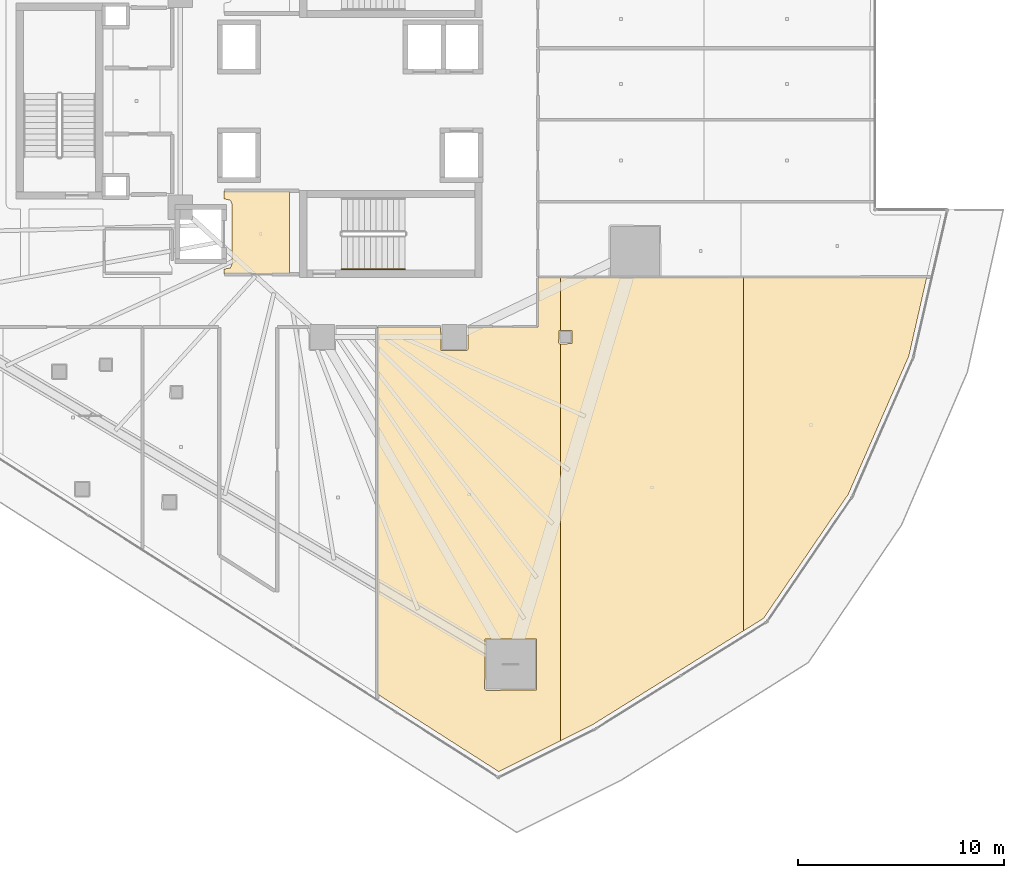
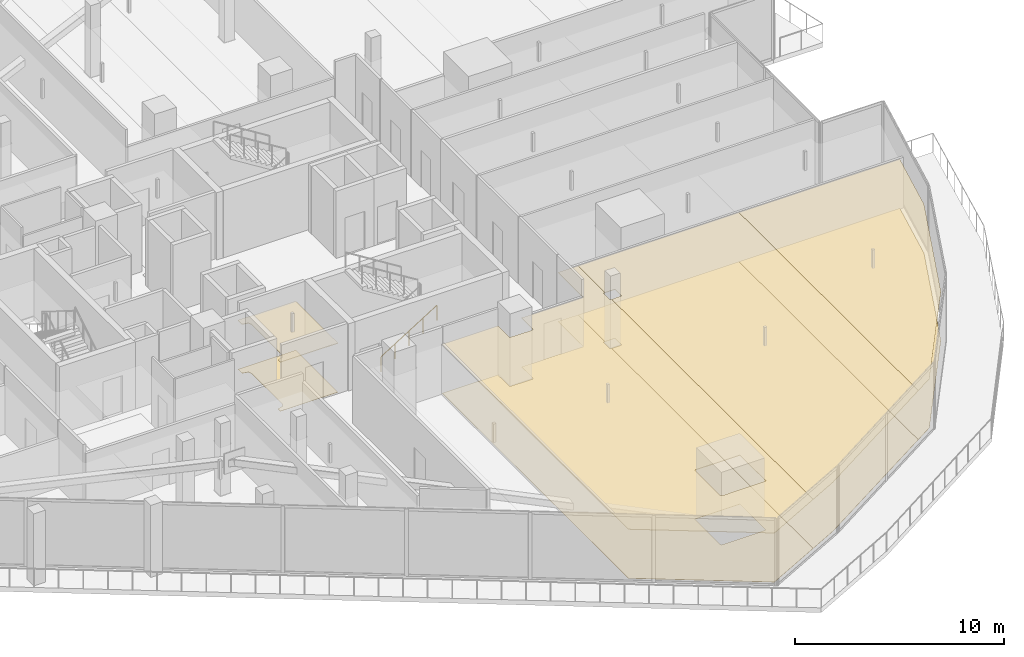
# One storey, part 46 of 52: 8 coverings, 1 railing.
"""IFC4 building model written with IfcOpenShell, lengths in metres."""

from ifc_helpers import new_model, si_unit, direction, frame, origin, origin_2d, place, context, subcontext, project, spatial, polyline, circle, outline, extrude, material, layer, layer_set, type_object, element, save


model = new_model("IFC4")

# Units and contexts
model_context = context("Model", 3, precision=1e-05, world=origin(), true_north=direction((0.0, 1.0)))
body_context = subcontext(model_context, "Body", "Model", "MODEL_VIEW")
ifc_project = project(units=[si_unit("LENGTHUNIT", "METRE"), si_unit("AREAUNIT", "SQUARE_METRE"), si_unit("VOLUMEUNIT", "CUBIC_METRE"), si_unit("PLANEANGLEUNIT", "RADIAN"), si_unit("MASSUNIT", "GRAM", prefix="KILO")], contexts=[model_context])

# Site, building, storey
site_placement = place(None, origin())
site = spatial("IfcSite", under=ifc_project, at=site_placement, CompositionType="ELEMENT")
building_placement = place(site_placement, origin())
building = spatial("IfcBuilding", under=site, at=building_placement, Name="Qorvath Tower", CompositionType="ELEMENT")
storey_placement = place(building_placement, frame((0.0, 0.0, 61.800048828125)))
storey = spatial("IfcBuildingStorey", under=building, at=storey_placement, Name="L13", CompositionType="ELEMENT", Elevation=61.800048828125)

# Coverings
ifc_material_1 = material(Name="Acoustic mineral fibre ceiling tile", Category="gypsum")
ifc_layer_1 = layer(ifc_material_1, 0.030029296875)
ifc_layer_set_1 = layer_set([ifc_layer_1], Name="COV-CEIL")
covering_type_1 = type_object("IfcCoveringType", Name="COV-CEIL", PredefinedType="CEILING", material=ifc_layer_set_1)
covering_1_placement = place(storey_placement, frame((0.0, 0.0, 2.849853515625)))
element("IfcCovering", 1, at=covering_1_placement, inside=storey, type_object=covering_type_1, Name="L13 Suspended Acoustic Ceiling 002", PredefinedType="CEILING", context=body_context, shape_type="SweptSolid", body=[
    extrude(outline(polyline([(-25.18994140625, -8.39501953125), (-25.18994140625, -4.35498046875), (-28.375, -4.35498046875), (-28.375, -4.739990234375), (-28.063232421875, -4.813232421875), (-27.989990234375, -4.989990234375), (-27.989990234375, -7.909912109375), (-28.063232421875, -8.086669921875), (-28.375, -8.159912109375), (-28.375, -8.39501953125), (-25.18994140625, -8.39501953125)])), origin(), (0.0, 0.0, 1.0), 0.030029296875),
])
covering_2_placement = place(storey_placement, frame((0.0, 0.0, 2.849853515625)))
element("IfcCovering", 2, at=covering_2_placement, inside=storey, type_object=covering_type_1, Name="L13 Suspended Acoustic Ceiling 025", PredefinedType="CEILING", context=body_context, shape_type="SweptSolid", body=[
    extrude(outline(polyline([(-17.860107421875, -10.962890625), (-20.9228515625, -10.962890625), (-20.9228515625, -28.77490234375), (-15.042724609375, -32.533203125), (-12.03955078125, -31.03173828125), (-12.03955078125, -11.783935546875), (-12.074951171875, -11.784912109375), (-12.135009765625, -11.72509765625), (-12.117431640625, -11.132568359375), (-12.03955078125, -11.132568359375), (-12.03955078125, -8.55419921875), (-13.136962890625, -8.554931640625), (-13.138427734375, -10.96142578125), (-16.5400390625, -10.962890625), (-16.5400390625, -12.050048828125), (-16.60009765625, -12.110107421875), (-17.842529296875, -12.092529296875), (-17.860107421875, -10.962890625)]), holes=[polyline([(-15.724365234375, -28.53076171875), (-15.706787109375, -26.08837890625), (-13.221923828125, -26.08837890625), (-13.221923828125, -28.5732421875), (-15.664306640625, -28.5908203125), (-15.724365234375, -28.53076171875)])]), origin(), (0.0, 0.0, 1.0), 0.030029296875),
])
covering_3_placement = place(storey_placement, frame((0.0, 0.0, 2.849853515625)))
element("IfcCovering", 3, at=covering_3_placement, inside=storey, type_object=covering_type_1, Name="L13 Suspended Acoustic Ceiling 026", PredefinedType="CEILING", context=body_context, shape_type="SweptSolid", body=[
    extrude(outline(polyline([(-12.03955078125, -8.55419921875), (-12.03955078125, -11.132568359375), (-11.482666015625, -11.132568359375), (-11.482666015625, -11.767333984375), (-12.03955078125, -11.783935546875), (-12.03955078125, -31.03173828125), (-10.493408203125, -30.258544921875), (-3.156494140625, -25.696533203125), (-3.156494140625, -8.546875), (-12.03955078125, -8.55419921875)])), origin(), (0.0, 0.0, 1.0), 0.030029296875),
])
covering_4_placement = place(storey_placement, frame((0.0, 0.0, 2.849853515625)))
element("IfcCovering", 4, at=covering_4_placement, inside=storey, type_object=covering_type_1, Name="L13 Suspended Acoustic Ceiling 027", PredefinedType="CEILING", context=body_context, shape_type="SweptSolid", body=[
    extrude(outline(polyline([(-3.156494140625, -8.546875), (-3.156494140625, -25.696533203125), (-2.1953125, -25.098876953125), (1.91748046875, -19.076171875), (4.85400390625, -12.372314453125), (5.726806640625, -8.539794921875), (-3.156494140625, -8.546875)])), origin(), (0.0, 0.0, 1.0), 0.030029296875),
])
ifc_material_2 = material(Name="Low-VOC modular carpet tile", Category="textile")
ifc_layer_2 = layer(ifc_material_2, 0.014892578125)
ifc_layer_set_2 = layer_set([ifc_layer_2], Name="COV-FLOOR-CPT")
covering_type_2 = type_object("IfcCoveringType", Name="COV-FLOOR-CPT", PredefinedType="FLOORING", material=ifc_layer_set_2)
covering_5_placement = place(storey_placement, origin())
element("IfcCovering", 5, at=covering_5_placement, inside=storey, type_object=covering_type_2, Name="L13 Floor Finish 025", PredefinedType="FLOORING", context=body_context, shape_type="SweptSolid", body=[
    extrude(outline(polyline([(-17.860107421875, -10.962890625), (-20.9228515625, -10.962890625), (-20.9228515625, -28.77490234375), (-15.042724609375, -32.533203125), (-12.03955078125, -31.03173828125), (-12.03955078125, -11.783935546875), (-12.074951171875, -11.784912109375), (-12.135009765625, -11.72509765625), (-12.117431640625, -11.132568359375), (-12.03955078125, -11.132568359375), (-12.03955078125, -8.55419921875), (-13.136962890625, -8.554931640625), (-13.138427734375, -10.96142578125), (-16.5400390625, -10.962890625), (-16.5400390625, -12.050048828125), (-16.60009765625, -12.110107421875), (-17.842529296875, -12.092529296875), (-17.860107421875, -10.962890625)]), holes=[polyline([(-15.724365234375, -28.53076171875), (-15.706787109375, -26.08837890625), (-13.221923828125, -26.08837890625), (-13.221923828125, -28.5732421875), (-15.664306640625, -28.5908203125), (-15.724365234375, -28.53076171875)])]), origin(), (0.0, 0.0, 1.0), 0.014892578125),
])
covering_6_placement = place(storey_placement, origin())
element("IfcCovering", 6, at=covering_6_placement, inside=storey, type_object=covering_type_2, Name="L13 Floor Finish 026", PredefinedType="FLOORING", context=body_context, shape_type="SweptSolid", body=[
    extrude(outline(polyline([(-12.03955078125, -8.55419921875), (-12.03955078125, -11.132568359375), (-11.482666015625, -11.132568359375), (-11.482666015625, -11.767333984375), (-12.03955078125, -11.783935546875), (-12.03955078125, -31.03173828125), (-10.493408203125, -30.258544921875), (-3.156494140625, -25.696533203125), (-3.156494140625, -8.546875), (-12.03955078125, -8.55419921875)])), origin(), (0.0, 0.0, 1.0), 0.014892578125),
])
covering_7_placement = place(storey_placement, origin())
element("IfcCovering", 7, at=covering_7_placement, inside=storey, type_object=covering_type_2, Name="L13 Floor Finish 027", PredefinedType="FLOORING", context=body_context, shape_type="SweptSolid", body=[
    extrude(outline(polyline([(-3.156494140625, -8.546875), (-3.156494140625, -25.696533203125), (-2.1953125, -25.098876953125), (1.91748046875, -19.076171875), (4.85400390625, -12.372314453125), (5.726806640625, -8.539794921875), (-3.156494140625, -8.546875)])), origin(), (0.0, 0.0, 1.0), 0.014892578125),
])
ifc_material_3 = material(Name="Polished epoxy terrazzo flooring", Category="concrete")
ifc_layer_3 = layer(ifc_material_3, 0.02001953125)
ifc_layer_set_3 = layer_set([ifc_layer_3], Name="COV-FLOOR-TRZ")
covering_type_3 = type_object("IfcCoveringType", Name="COV-FLOOR-TRZ", PredefinedType="FLOORING", material=ifc_layer_set_3)
covering_8_placement = place(storey_placement, origin())
element("IfcCovering", 8, at=covering_8_placement, inside=storey, type_object=covering_type_3, Name="L13 Floor Finish 002", PredefinedType="FLOORING", context=body_context, shape_type="SweptSolid", body=[
    extrude(outline(polyline([(-25.18994140625, -8.39501953125), (-25.18994140625, -4.35498046875), (-28.375, -4.35498046875), (-28.375, -4.739990234375), (-28.063232421875, -4.813232421875), (-27.989990234375, -4.989990234375), (-27.989990234375, -7.909912109375), (-28.063232421875, -8.086669921875), (-28.375, -8.159912109375), (-28.375, -8.39501953125), (-25.18994140625, -8.39501953125)])), origin(), (0.0, 0.0, 1.0), 0.014892578125),
])

# Railing
ifc_material_4 = material(Name="Brushed stainless steel AISI 304", Category="steel")
railing_type = type_object("IfcRailingType", Name="RL-STR-HND", PredefinedType="HANDRAIL", material=ifc_material_4)
railing_placement = place(storey_placement, frame((-22.669921875, -8.14990234375, 0.175048828125)))
element("IfcRailing", 9, at=railing_placement, inside=storey, type_object=railing_type, Name="L13 TS2 stair handrail 1", PredefinedType="HANDRAIL", context=body_context, shape_type="SweptSolid", body=[
    extrude(circle(Radius=0.02392578125, at=origin_2d()), frame((0.0, 0.0, 0.8759765625), z_axis=(0.848009633417, 0.0, 0.529980812513), x_axis=(0.0, 1.0, 0.0)), (0.0, 0.0, 1.0), 3.6318359375),
    extrude(circle(Radius=0.02099609375, at=origin_2d()), origin(), (0.0, 0.0, 1.0), 0.851806640625),
    extrude(circle(Radius=0.02099609375, at=origin_2d()), frame((0.77001953125, 0.0, 0.481201171875)), (0.0, 0.0, 1.0), 0.851806640625),
    extrude(circle(Radius=0.02099609375, at=origin_2d()), frame((1.5400390625, 0.0, 0.96240234375)), (0.0, 0.0, 1.0), 0.851806640625),
    extrude(circle(Radius=0.02099609375, at=origin_2d()), frame((2.309814453125, 0.0, 1.443603515625)), (0.0, 0.0, 1.0), 0.851806640625),
    extrude(circle(Radius=0.02099609375, at=origin_2d()), frame((3.079833984375, 0.0, 1.9248046875)), (0.0, 0.0, 1.0), 0.851806640625),
])

save(model, "model.ifc")
